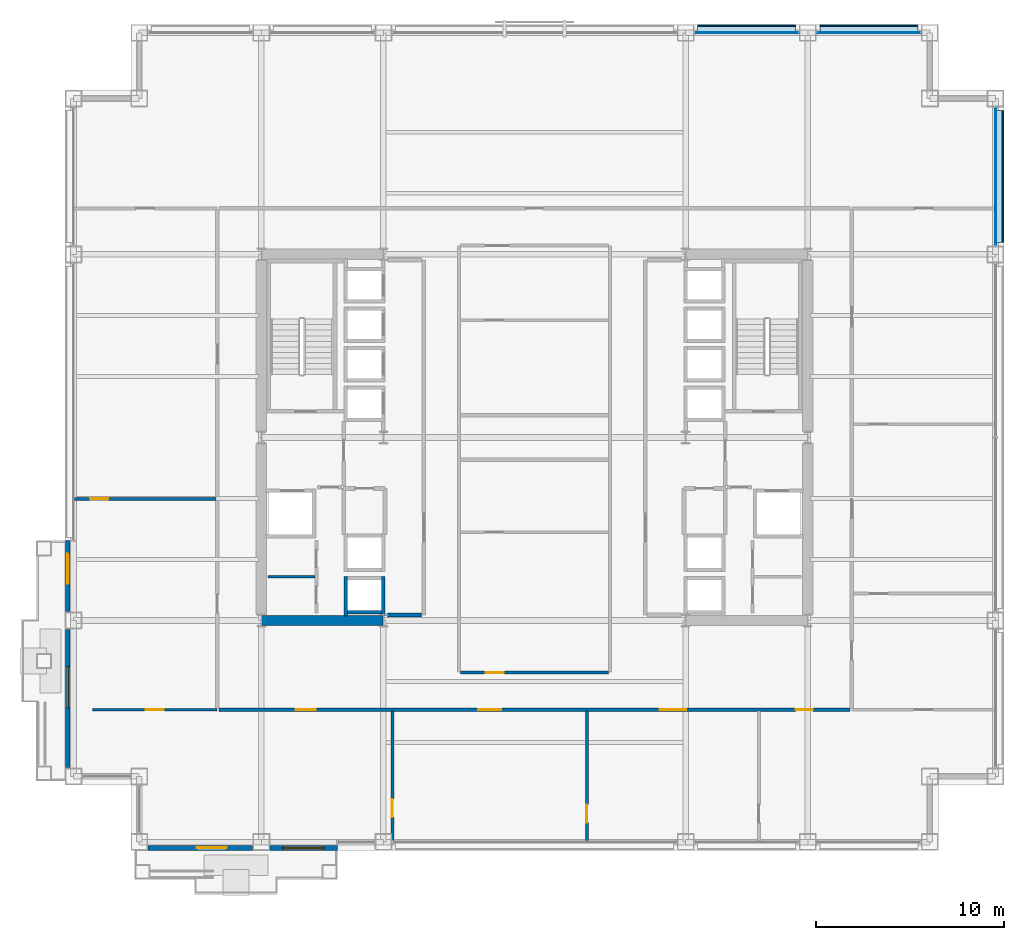
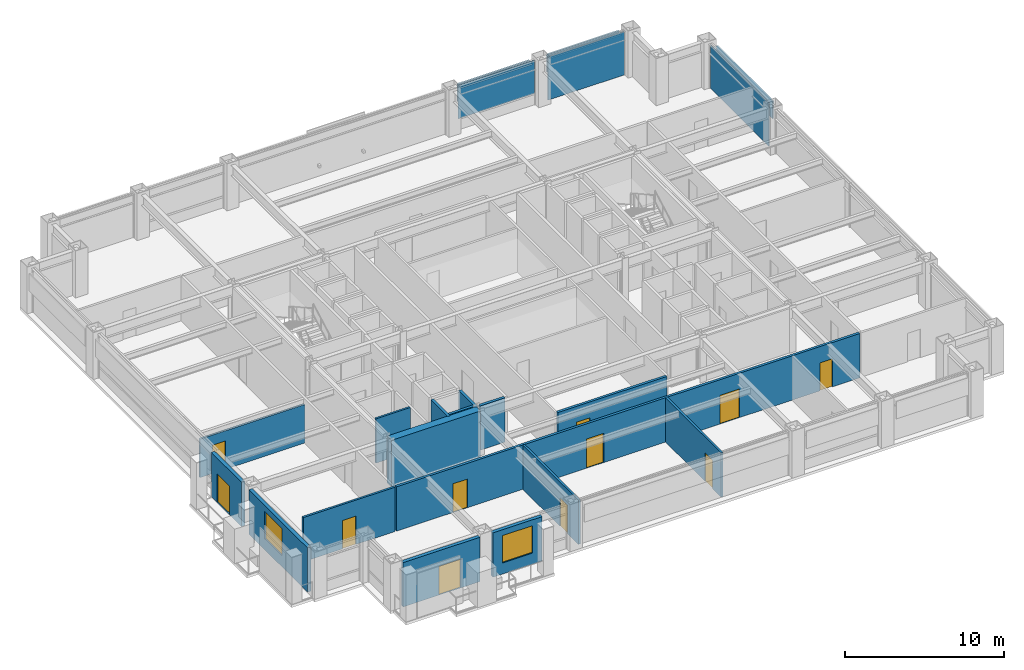
# One storey, part 22 of 29: 16 walls, 11 doors, 9 plates, 2 windows, 13 openings, 3 elements without a shape of their own.
"""IFC4 building model written with IfcOpenShell, lengths in metres."""

from ifc_helpers import new_model, si_unit, direction, frame, frame_2d, origin, origin_2d, place, context, subcontext, project, spatial, rectangle, extrude, material, layer, layer_set, type_object, element, fill, aggregate, save


model = new_model("IFC4")

# Units and contexts
model_context = context("Model", 3, precision=1e-05, world=origin(), true_north=direction((0.0, 1.0)))
body_context = subcontext(model_context, "Body", "Model", "MODEL_VIEW")
ifc_project = project(units=[si_unit("LENGTHUNIT", "METRE"), si_unit("AREAUNIT", "SQUARE_METRE"), si_unit("VOLUMEUNIT", "CUBIC_METRE"), si_unit("PLANEANGLEUNIT", "RADIAN"), si_unit("MASSUNIT", "GRAM", prefix="KILO")], contexts=[model_context])

# Site, building, storey
site_placement = place(None, origin())
site = spatial("IfcSite", under=ifc_project, at=site_placement, CompositionType="ELEMENT")
building_placement = place(site_placement, origin())
building = spatial("IfcBuilding", under=site, at=building_placement, Name="Brelmoor Portico Tower", CompositionType="ELEMENT")
storey_placement = place(building_placement, frame((0.0, 0.0, 63.60009765625)))
storey = spatial("IfcBuildingStorey", under=building, at=storey_placement, Name="L16", CompositionType="ELEMENT", Elevation=63.60009765625)

# Curtain wall, plate
ifc_material_1 = material(Name="Anodised Aluminium Alloy 6063-T6", Category="aluminium")
ifc_layer_1 = layer(ifc_material_1, 0.179931640625)
ifc_layer_set_1 = layer_set([ifc_layer_1], Name="Anodised Aluminium Alloy 6063-T6")
curtain_wall_type_1 = type_object("IfcCurtainWallType", Name="CW-TOWER-Z1", PredefinedType="NOTDEFINED", material=ifc_layer_set_1)
curtain_wall_1_placement = place(storey_placement, origin())
curtain_wall_1 = element("IfcCurtainWall", 1, at=curtain_wall_1_placement, inside=storey, type_object=curtain_wall_type_1, Name="L16 Curtain Wall CW-L16-02-4", PredefinedType="NOTDEFINED")
ifc_material_2 = material(Name="Double-Silver Low-E Insulated Glazing", Category="glass")
ifc_layer_2 = layer(ifc_material_2, 0.035888671875)
ifc_layer_set_2 = layer_set([ifc_layer_2], Name="Double-Silver Low-E Insulated Glazing")
plate_type_1 = type_object("IfcPlateType", Name="PT-CW-GLASS", PredefinedType="CURTAIN_PANEL", material=ifc_layer_set_2)
plate_1_placement = place(storey_placement, frame((11.300048828125, 21.550048828125, 0.85009765625), z_axis=(0.0, 0.0, 1.0), x_axis=(1.0, 0.0, 0.0)))
plate_1 = element("IfcPlate", 2, at=plate_1_placement, type_object=plate_type_1, Name="CW-L16-02-4 Vision Glass Panel 00", PredefinedType="CURTAIN_PANEL", context=body_context, shape_type="SweptSolid", body=[
    extrude(rectangle(XDim=5.550048828125, YDim=0.035888671875, at=origin_2d()), origin(), (0.0, 0.0, 1.0), 2.550048828125),
])
aggregate(curtain_wall_1, [plate_1])

ifc_layer_3 = layer(ifc_material_1, 0.179931640625)
ifc_layer_set_3 = layer_set([ifc_layer_3], Name="Anodised Aluminium Alloy 6063-T6")
curtain_wall_type_2 = type_object("IfcCurtainWallType", Name="CW-TOWER-Z1-XB", PredefinedType="NOTDEFINED", material=ifc_layer_set_3)
curtain_wall_2_placement = place(storey_placement, origin())
curtain_wall_2 = element("IfcCurtainWall", 3, at=curtain_wall_2_placement, inside=storey, type_object=curtain_wall_type_2, Name="L16 Curtain Wall CW-L16-02-5", PredefinedType="NOTDEFINED")
ifc_material_3 = material(Name="Pale Champagne Anodised Aluminium Panel", Category="aluminium")
ifc_layer_4 = layer(ifc_material_3, 0.050048828125)
ifc_layer_set_4 = layer_set([ifc_layer_4], Name="Pale Champagne Anodised Aluminium Panel")
plate_type_2 = type_object("IfcPlateType", Name="PT-CW-SPANDREL", PredefinedType="SHEET", material=ifc_layer_set_4)
plate_2_placement = place(storey_placement, frame((17.800048828125, 21.550048828125, -0.000244140625), z_axis=(0.0, 0.0, 1.0), x_axis=(1.0, 0.0, 0.0)))
plate_2 = element("IfcPlate", 4, at=plate_2_placement, type_object=plate_type_2, Name="CW-L16-02-5 Spandrel Panel 00", PredefinedType="SHEET", context=body_context, shape_type="SweptSolid", body=[
    extrude(rectangle(XDim=5.550048828125, YDim=0.050048828125, at=origin_2d()), origin(), (0.0, 0.0, 1.0), 3.330078125),
])
aggregate(curtain_wall_2, [plate_2])

curtain_wall_3_placement = place(storey_placement, origin())
curtain_wall_3 = element("IfcCurtainWall", 5, at=curtain_wall_3_placement, inside=storey, type_object=curtain_wall_type_2, Name="L16 Curtain Wall CW-L16-04-3", PredefinedType="NOTDEFINED")
plate_3_placement = place(storey_placement, frame((24.550048828125, 13.89990234375, -0.000244140625), z_axis=(0.0, 0.0, 1.0), x_axis=(0.0, 1.0, 0.0)))
plate_3 = element("IfcPlate", 6, at=plate_3_placement, type_object=plate_type_2, Name="CW-L16-04-3 Spandrel Panel 00", PredefinedType="SHEET", context=body_context, shape_type="SweptSolid", body=[
    extrude(rectangle(XDim=7.35009765625, YDim=0.050048828125, at=origin_2d()), origin(), (0.0, 0.0, 1.0), 3.330078125),
])
aggregate(curtain_wall_3, [plate_3])

# Plates
ifc_material_4 = material(Name="Powder-Coated Aluminium Shuttered Jalousie Louvre", Category="aluminium")
ifc_layer_5 = layer(ifc_material_4, 0.06005859375)
ifc_layer_set_5 = layer_set([ifc_layer_5], Name="Powder-Coated Aluminium Shuttered Jalousie Louvre")
plate_type_3 = type_object("IfcPlateType", Name="PT-JALOUSIE-SHUTTER", PredefinedType="SHEET", material=ifc_layer_set_5)
for number, where, z_axis, x_axis, name in (
    (7, (11.300048828125, 21.929931640625, 1.8740234375), (0.0, 0.0, 1.0), (1.0, 0.0, 0.0), "CW-L16-02-4 Perforated Jalousie Solar Screen"),
    (8, (17.800048828125, 21.929931640625, 1.8740234375), (0.0, 0.0, 1.0), (1.0, 0.0, 0.0), "CW-L16-02-5 Perforated Jalousie Solar Screen"),
):
    element("IfcPlate", number, at=place(storey_placement, frame(where, z_axis=z_axis, x_axis=x_axis)), inside=storey, type_object=plate_type_3, Name=name, PredefinedType="SHEET", context=body_context, shape_type="SweptSolid", body=[
        extrude(rectangle(XDim=5.219970703125, YDim=0.06494140625, at=origin_2d()), origin(), (0.0, 0.0, 1.0), 1.325927734375),
    ])
plate_4_placement = place(storey_placement, frame((24.929931640625, 13.89990234375, 1.8740234375), z_axis=(0.0, 0.0, 1.0), x_axis=(0.0, 1.0, 0.0)))
element("IfcPlate", 9, at=plate_4_placement, inside=storey, type_object=plate_type_3, Name="CW-L16-04-3 Perforated Jalousie Solar Screen", PredefinedType="SHEET", context=body_context, shape_type="SweptSolid", body=[
    extrude(rectangle(XDim=7.02001953125, YDim=0.06494140625, at=origin_2d()), origin(), (0.0, 0.0, 1.0), 1.325927734375),
])
ifc_material_5 = material(Name="Pale Champagne Perforated Aluminium Solar Screen", Category="aluminium")
ifc_layer_6 = layer(ifc_material_5, 0.054931640625)
ifc_layer_set_6 = layer_set([ifc_layer_6], Name="Pale Champagne Perforated Aluminium Solar Screen")
plate_type_4 = type_object("IfcPlateType", Name="PT-SOLAR-LOUVRE", PredefinedType="SHEET", material=ifc_layer_set_6)
for number, where, z_axis, x_axis, name in (
    (10, (11.300048828125, 21.760009765625, 3.08984375), (0.0, 0.0, 1.0), (1.0, 0.0, 0.0), "CW-L16-02-4 Caribbean Brise-Soleil Solar Screen"),
    (11, (17.800048828125, 21.760009765625, 3.08984375), (0.0, 0.0, 1.0), (1.0, 0.0, 0.0), "CW-L16-02-5 Caribbean Brise-Soleil Solar Screen"),
):
    element("IfcPlate", number, at=place(storey_placement, frame(where, z_axis=z_axis, x_axis=x_axis)), inside=storey, type_object=plate_type_4, Name=name, PredefinedType="SHEET", context=body_context, shape_type="SweptSolid", body=[
        extrude(rectangle(XDim=5.219970703125, YDim=0.4599609375, at=origin_2d()), origin(), (0.0, 0.0, 1.0), 0.139892578125),
    ])
plate_5_placement = place(storey_placement, frame((24.760009765625, 13.89990234375, 3.08984375), z_axis=(0.0, 0.0, 1.0), x_axis=(0.0, 1.0, 0.0)))
element("IfcPlate", 12, at=plate_5_placement, inside=storey, type_object=plate_type_4, Name="CW-L16-04-3 Caribbean Brise-Soleil Solar Screen", PredefinedType="SHEET", context=body_context, shape_type="SweptSolid", body=[
    extrude(rectangle(XDim=7.02001953125, YDim=0.4599609375, at=origin_2d()), origin(), (0.0, 0.0, 1.0), 0.139892578125),
])

# Wall
ifc_material_6 = material(Name="Concrete C60", Category="concrete")
ifc_layer_7 = layer(ifc_material_6, 0.550048828125)
ifc_layer_set_7 = layer_set([ifc_layer_7], Name="Concrete C60")
wall_type_1 = type_object("IfcWallType", Name="WL-CORE-550", PredefinedType="SHEAR", material=ifc_layer_set_7)
wall_1_placement = place(storey_placement, frame((-14.530029296875, -9.75, -0.2001953125), z_axis=(0.0, 0.0, 1.0), x_axis=(1.0, 0.0, 0.0)))
element("IfcWall", 13, at=wall_1_placement, inside=storey, type_object=wall_type_1, Name="L16 WC South Shear Wall", PredefinedType="SHEAR", context=body_context, shape_type="SweptSolid", body=[
    extrude(rectangle(XDim=6.4599609375, YDim=0.550048828125, at=frame_2d((3.22998046875, 0.0))), origin(), (0.0, 0.0, 1.0), 3.60009765625),
])

# Wall, opening, door
ifc_material_7 = material(Name="Precast Concrete C40 Insulated Facade Wall", Category="concrete")
ifc_layer_8 = layer(ifc_material_7, 0.25)
ifc_layer_set_8 = layer_set([ifc_layer_8], Name="Precast Concrete C40 Insulated Facade Wall")
wall_type_2 = type_object("IfcWallType", Name="WL-EXT-250", PredefinedType="STANDARD", material=ifc_layer_set_8)
wall_2_placement = place(storey_placement, frame((-20.580078125, -21.860107421875, 0.0), z_axis=(0.0, 0.0, 1.0), x_axis=(1.0, 0.0, 0.0)))
wall_2 = element("IfcWall", 14, at=wall_2_placement, inside=storey, type_object=wall_type_2, Name="L16 Loggia Threshold Wall S-1", PredefinedType="STANDARD", context=body_context, shape_type="SweptSolid", body=[
    extrude(rectangle(XDim=5.56005859375, YDim=0.25, at=frame_2d((2.780029296875, 0.0))), origin(), (0.0, 0.0, 1.0), 3.39990234375),
])
opening_1_placement = place(wall_2_placement, frame((2.580078125, 0.0, 0.0)))
opening_1 = element("IfcOpeningElement", 15, at=opening_1_placement, cuts=wall_2, Name="Opening D-TB1", PredefinedType="OPENING", context=body_context, shape_type="SweptSolid", body=[
    extrude(rectangle(XDim=1.60009765625, YDim=2.199951171875, at=frame_2d((0.800048828125, 1.10009765625))), frame((0.0, 0.135009765625, 0.0), z_axis=(0.0, -1.0, 0.0), x_axis=(1.0, 0.0, 0.0)), (0.0, 0.0, 1.0), 0.27001953125),
])
ifc_material_8 = material(Name="Double-Leaf Thermally Broken Terrace Door", Category="aluminium")
door_type_1 = type_object("IfcDoorType", Name="DR-BALCONY-1600", OperationType="NOTDEFINED", PredefinedType="DOOR", material=ifc_material_8)
door_1_placement = place(opening_1_placement, origin())
door_1 = element("IfcDoor", 16, at=door_1_placement, inside=storey, type_object=door_type_1, Name="D-0737 L16 Tree Balcony Double Door S", OperationType="DOUBLE_DOOR_SINGLE_SWING", OverallHeight=2.199951171875, OverallWidth=1.60009765625, PredefinedType="DOOR", context=body_context, shape_type="SweptSolid", body=[
    extrude(rectangle(XDim=1.60009765625, YDim=2.199951171875, at=frame_2d((0.800048828125, 1.10009765625))), frame((0.0, 0.02490234375, 0.0), z_axis=(0.0, -1.0, 0.0), x_axis=(1.0, 0.0, 0.0)), (0.0, 0.0, 1.0), 0.050048828125),
])
fill(opening_1, door_1)

# Wall, opening, window
wall_3_placement = place(storey_placement, frame((-14.080078125, -21.860107421875, 0.0), z_axis=(0.0, 0.0, 1.0), x_axis=(1.0, 0.0, 0.0)))
wall_3 = element("IfcWall", 17, at=wall_3_placement, inside=storey, type_object=wall_type_2, Name="L16 Loggia Threshold Wall S-2", PredefinedType="STANDARD", context=body_context, shape_type="SweptSolid", body=[
    extrude(rectangle(XDim=3.580078125, YDim=0.25, at=frame_2d((1.7900390625, 0.0))), origin(), (0.0, 0.0, 1.0), 3.39990234375),
])
opening_2_placement = place(wall_3_placement, frame((0.679931640625, 0.0, 0.85009765625)))
opening_2 = element("IfcOpeningElement", 18, at=opening_2_placement, cuts=wall_3, Name="Opening W-03B", PredefinedType="OPENING", context=body_context, shape_type="SweptSolid", body=[
    extrude(rectangle(XDim=2.199951171875, YDim=2.10009765625, at=frame_2d((1.10009765625, 1.050048828125))), frame((0.0, 0.135009765625, 0.0), z_axis=(0.0, -1.0, 0.0), x_axis=(1.0, 0.0, 0.0)), (0.0, 0.0, 1.0), 0.27001953125),
])
ifc_material_9 = material(Name="Thermally Broken Aluminium Low-E Window", Category="aluminium")
window_type = type_object("IfcWindowType", Name="WN-LOGGIA-2200x2100", PartitioningType="SINGLE_PANEL", PredefinedType="WINDOW", material=ifc_material_9)
window_1_placement = place(opening_2_placement, origin())
window_1 = element("IfcWindow", 19, at=window_1_placement, inside=storey, type_object=window_type, Name="L16 Loggia Window S", OverallHeight=2.10009765625, OverallWidth=2.199951171875, PartitioningType="SINGLE_PANEL", PredefinedType="WINDOW", context=body_context, shape_type="SweptSolid", body=[
    extrude(rectangle(XDim=2.199951171875, YDim=2.10009765625, at=frame_2d((1.10009765625, 1.050048828125))), frame((0.0, 0.030029296875, 0.0), z_axis=(0.0, -1.0, 0.0), x_axis=(1.0, 0.0, 0.0)), (0.0, 0.0, 1.0), 0.06005859375),
])
fill(opening_2, window_1)

wall_4_placement = place(storey_placement, frame((-24.860107421875, -17.580078125, 0.0), z_axis=(0.0, 0.0, 1.0), x_axis=(0.0, 1.0, 0.0)))
wall_4 = element("IfcWall", 20, at=wall_4_placement, inside=storey, type_object=wall_type_2, Name="L16 Loggia Threshold Wall W-1", PredefinedType="STANDARD", context=body_context, shape_type="SweptSolid", body=[
    extrude(rectangle(XDim=7.360107421875, YDim=0.25, at=frame_2d((3.68017578125, 0.0))), origin(), (0.0, 0.0, 1.0), 3.39990234375),
])
opening_3_placement = place(wall_4_placement, frame((3.179931640625, 0.0, 0.85009765625)))
opening_3 = element("IfcOpeningElement", 21, at=opening_3_placement, cuts=wall_4, Name="Opening W-03B", PredefinedType="OPENING", context=body_context, shape_type="SweptSolid", body=[
    extrude(rectangle(XDim=2.199951171875, YDim=2.10009765625, at=frame_2d((1.10009765625, 1.050048828125))), frame((0.0, 0.135009765625, 0.0), z_axis=(0.0, -1.0, 0.0), x_axis=(1.0, 0.0, 0.0)), (0.0, 0.0, 1.0), 0.27001953125),
])
window_2_placement = place(opening_3_placement, origin())
window_2 = element("IfcWindow", 22, at=window_2_placement, inside=storey, type_object=window_type, Name="L16 Loggia Window W", OverallHeight=2.10009765625, OverallWidth=2.199951171875, PartitioningType="SINGLE_PANEL", PredefinedType="WINDOW", context=body_context, shape_type="SweptSolid", body=[
    extrude(rectangle(XDim=2.199951171875, YDim=2.10009765625, at=frame_2d((1.10009765625, 1.050048828125))), frame((0.0, 0.030029296875, 0.0), z_axis=(0.0, -1.0, 0.0), x_axis=(1.0, 0.0, 0.0)), (0.0, 0.0, 1.0), 0.06005859375),
])
fill(opening_3, window_2)

# Wall, opening, door
wall_5_placement = place(storey_placement, frame((-24.860107421875, -9.280029296875, 0.0), z_axis=(0.0, 0.0, 1.0), x_axis=(0.0, 1.0, 0.0)))
wall_5 = element("IfcWall", 23, at=wall_5_placement, inside=storey, type_object=wall_type_2, Name="L16 Loggia Threshold Wall W-2", PredefinedType="STANDARD", context=body_context, shape_type="SweptSolid", body=[
    extrude(rectangle(XDim=3.780029296875, YDim=0.25, at=frame_2d((1.89013671875, 0.0))), origin(), (0.0, 0.0, 1.0), 3.39990234375),
])
opening_4_placement = place(wall_5_placement, frame((1.47998046875, 0.0, 0.0)))
opening_4 = element("IfcOpeningElement", 24, at=opening_4_placement, cuts=wall_5, Name="Opening D-TB1", PredefinedType="OPENING", context=body_context, shape_type="SweptSolid", body=[
    extrude(rectangle(XDim=1.60009765625, YDim=2.199951171875, at=frame_2d((0.800048828125, 1.10009765625))), frame((0.0, 0.135009765625, 0.0), z_axis=(0.0, -1.0, 0.0), x_axis=(1.0, 0.0, 0.0)), (0.0, 0.0, 1.0), 0.27001953125),
])
door_2_placement = place(opening_4_placement, origin())
door_2 = element("IfcDoor", 25, at=door_2_placement, inside=storey, type_object=door_type_1, Name="D-0738 L16 Tree Balcony Double Door W", OperationType="DOUBLE_DOOR_SINGLE_SWING", OverallHeight=2.199951171875, OverallWidth=1.60009765625, PredefinedType="DOOR", context=body_context, shape_type="SweptSolid", body=[
    extrude(rectangle(XDim=1.60009765625, YDim=2.199951171875, at=frame_2d((0.800048828125, 1.10009765625))), frame((0.0, 0.02490234375, 0.0), z_axis=(0.0, -1.0, 0.0), x_axis=(1.0, 0.0, 0.0)), (0.0, 0.0, 1.0), 0.050048828125),
])
fill(opening_4, door_2)

# Wall
ifc_material_10 = material(Name="Insulated Stud Suite Partition", Category="gypsum")
ifc_layer_9 = layer(ifc_material_10, 0.139892578125)
ifc_layer_set_9 = layer_set([ifc_layer_9], Name="Insulated Stud Suite Partition")
wall_type_3 = type_object("IfcWallType", Name="WL-PART-140", PredefinedType="PARTITIONING", material=ifc_layer_set_9)
wall_6_placement = place(storey_placement, frame((-11.699951171875, -7.425048828125, 0.0), z_axis=(0.0, 0.0, 1.0), x_axis=(-1.0, 0.0, 0.0)))
element("IfcWall", 26, at=wall_6_placement, inside=storey, type_object=wall_type_3, Name="L16 W Core WC Divider 1", PredefinedType="PARTITIONING", context=body_context, shape_type="SweptSolid", body=[
    extrude(rectangle(XDim=2.5, YDim=0.139892578125, at=frame_2d((1.25, 0.0))), origin(), (0.0, 0.0, 1.0), 3.39990234375),
])

# Wall, opening, door
ifc_material_11 = material(Name="Wet-Area Moisture-Resistant Partition", Category="gypsum")
ifc_layer_10 = layer(ifc_material_11, 0.14990234375)
ifc_layer_set_10 = layer_set([ifc_layer_10], Name="Wet-Area Moisture-Resistant Partition")
wall_type_4 = type_object("IfcWallType", Name="WL-PART-150", PredefinedType="PARTITIONING", material=ifc_layer_set_10)
wall_7_placement = place(storey_placement, frame((-7.56591796875, -21.56005859375, 0.0), z_axis=(0.0, 0.0, 1.0), x_axis=(0.0, 1.0, 0.0)))
wall_7 = element("IfcWall", 27, at=wall_7_placement, inside=storey, type_object=wall_type_4, Name="L16 South Suite Partition 1", PredefinedType="PARTITIONING", context=body_context, shape_type="SweptSolid", body=[
    extrude(rectangle(XDim=7.0, YDim=0.14990234375, at=frame_2d((3.5, 0.0))), origin(), (0.0, 0.0, 1.0), 3.39990234375),
])
opening_5_placement = place(wall_7_placement, frame((1.340087890625, 0.0, 0.0)))
opening_5 = element("IfcOpeningElement", 28, at=opening_5_placement, cuts=wall_7, Name="Opening D-IN2", PredefinedType="OPENING", context=body_context, shape_type="SweptSolid", body=[
    extrude(rectangle(XDim=0.9599609375, YDim=2.179931640625, at=frame_2d((0.47998046875, 1.08984375))), frame((0.0, 0.0849609375, 0.0), z_axis=(0.0, -1.0, 0.0), x_axis=(1.0, 0.0, 0.0)), (0.0, 0.0, 1.0), 0.169921875),
])
ifc_material_12 = material(Name="Lacquered Timber Suite Door", Category="wood")
door_type_2 = type_object("IfcDoorType", Name="DR-INT-950", OperationType="NOTDEFINED", PredefinedType="DOOR", material=ifc_material_12)
door_3_placement = place(opening_5_placement, origin())
door_3 = element("IfcDoor", 29, at=door_3_placement, inside=storey, type_object=door_type_2, Name="D-0730 L16 South Suite Connecting Door 1", OperationType="SINGLE_SWING_RIGHT", OverallHeight=2.179931640625, OverallWidth=0.9599609375, PredefinedType="DOOR", context=body_context, shape_type="SweptSolid", body=[
    extrude(rectangle(XDim=0.9599609375, YDim=2.179931640625, at=frame_2d((0.47998046875, 1.08984375))), frame((0.0, 0.02490234375, 0.0), z_axis=(0.0, -1.0, 0.0), x_axis=(1.0, 0.0, 0.0)), (0.0, 0.0, 1.0), 0.050048828125),
])
fill(opening_5, door_3)

wall_8_placement = place(storey_placement, frame((2.787353515625, -21.56005859375, 0.0), z_axis=(0.0, 0.0, 1.0), x_axis=(0.0, 1.0, 0.0)))
wall_8 = element("IfcWall", 30, at=wall_8_placement, inside=storey, type_object=wall_type_4, Name="L16 South Suite Partition 2", PredefinedType="PARTITIONING", context=body_context, shape_type="SweptSolid", body=[
    extrude(rectangle(XDim=7.0, YDim=0.14990234375, at=frame_2d((3.5, 0.0))), origin(), (0.0, 0.0, 1.0), 3.39990234375),
])
opening_6_placement = place(wall_8_placement, frame((1.050048828125, 0.0, 0.0)))
opening_6 = element("IfcOpeningElement", 31, at=opening_6_placement, cuts=wall_8, Name="Opening D-IN2", PredefinedType="OPENING", context=body_context, shape_type="SweptSolid", body=[
    extrude(rectangle(XDim=0.9599609375, YDim=2.179931640625, at=frame_2d((0.47998046875, 1.08984375))), frame((0.0, 0.0849609375, 0.0), z_axis=(0.0, -1.0, 0.0), x_axis=(1.0, 0.0, 0.0)), (0.0, 0.0, 1.0), 0.169921875),
])
door_4_placement = place(opening_6_placement, origin())
door_4 = element("IfcDoor", 32, at=door_4_placement, inside=storey, type_object=door_type_2, Name="D-0731 L16 South Suite Connecting Door 2", OperationType="SINGLE_SWING_LEFT", OverallHeight=2.179931640625, OverallWidth=0.9599609375, PredefinedType="DOOR", context=body_context, shape_type="SweptSolid", body=[
    extrude(rectangle(XDim=0.9599609375, YDim=2.179931640625, at=frame_2d((0.47998046875, 1.08984375))), frame((0.0, 0.02490234375, 0.0), z_axis=(0.0, -1.0, 0.0), x_axis=(1.0, 0.0, 0.0)), (0.0, 0.0, 1.0), 0.050048828125),
])
fill(opening_6, door_4)

wall_9_placement = place(storey_placement, frame((-23.550048828125, -14.5, 0.0), z_axis=(0.0, 0.0, 1.0), x_axis=(1.0, 0.0, 0.0)))
wall_9 = element("IfcWall", 33, at=wall_9_placement, inside=storey, type_object=wall_type_4, Name="L16 South Outer Closure WL", PredefinedType="PARTITIONING", context=body_context, shape_type="SweptSolid", body=[
    extrude(rectangle(XDim=6.650146484375, YDim=0.14990234375, at=frame_2d((3.3251953125, 0.0))), origin(), (0.0, 0.0, 1.0), 3.39990234375),
])
opening_7_placement = place(wall_9_placement, frame((2.844970703125, 0.0, 0.0)))
opening_7 = element("IfcOpeningElement", 34, at=opening_7_placement, cuts=wall_9, Name="Opening D-IN2", PredefinedType="OPENING", context=body_context, shape_type="SweptSolid", body=[
    extrude(rectangle(XDim=0.9599609375, YDim=2.179931640625, at=frame_2d((0.47998046875, 1.08984375))), frame((0.0, 0.0849609375, 0.0), z_axis=(0.0, -1.0, 0.0), x_axis=(1.0, 0.0, 0.0)), (0.0, 0.0, 1.0), 0.169921875),
])
door_5_placement = place(opening_7_placement, origin())
door_5 = element("IfcDoor", 35, at=door_5_placement, inside=storey, type_object=door_type_2, Name="D-0736 L16 WL South Corner Suite Door", OperationType="SINGLE_SWING_RIGHT", OverallHeight=2.179931640625, OverallWidth=0.9599609375, PredefinedType="DOOR", context=body_context, shape_type="SweptSolid", body=[
    extrude(rectangle(XDim=0.9599609375, YDim=2.179931640625, at=frame_2d((0.47998046875, 1.08984375))), frame((0.0, 0.02490234375, 0.0), z_axis=(0.0, -1.0, 0.0), x_axis=(1.0, 0.0, 0.0)), (0.0, 0.0, 1.0), 0.050048828125),
])
fill(opening_7, door_5)

wall_10_placement = place(storey_placement, frame((-24.56005859375, -3.273193359375, 0.0), z_axis=(0.0, 0.0, 1.0), x_axis=(1.0, 0.0, 0.0)))
wall_10 = element("IfcWall", 36, at=wall_10_placement, inside=storey, type_object=wall_type_4, Name="L16 W Wing Partition 1", PredefinedType="PARTITIONING", context=body_context, shape_type="SweptSolid", body=[
    extrude(rectangle(XDim=7.60009765625, YDim=0.14990234375, at=frame_2d((3.800048828125, 0.0))), origin(), (0.0, 0.0, 1.0), 2.949951171875),
])
opening_8_placement = place(wall_10_placement, frame((0.89990234375, 0.0, 0.0)))
opening_8 = element("IfcOpeningElement", 37, at=opening_8_placement, cuts=wall_10, Name="Opening D-IN2", PredefinedType="OPENING", context=body_context, shape_type="SweptSolid", body=[
    extrude(rectangle(XDim=0.9599609375, YDim=2.179931640625, at=frame_2d((0.47998046875, 1.08984375))), frame((0.0, 0.0849609375, 0.0), z_axis=(0.0, -1.0, 0.0), x_axis=(1.0, 0.0, 0.0)), (0.0, 0.0, 1.0), 0.169921875),
])
door_6_placement = place(opening_8_placement, origin())
door_6 = element("IfcDoor", 38, at=door_6_placement, inside=storey, type_object=door_type_2, Name="D-0746 L16 W Wing Suite Connecting Door 1", OperationType="SINGLE_SWING_RIGHT", OverallHeight=2.179931640625, OverallWidth=0.9599609375, PredefinedType="DOOR", context=body_context, shape_type="SweptSolid", body=[
    extrude(rectangle(XDim=0.9599609375, YDim=2.179931640625, at=frame_2d((0.47998046875, 1.08984375))), frame((0.0, 0.02490234375, 0.0), z_axis=(0.0, -1.0, 0.0), x_axis=(1.0, 0.0, 0.0)), (0.0, 0.0, 1.0), 0.050048828125),
])
fill(opening_8, door_6)

ifc_material_13 = material(Name="Acoustic Corridor Fire Partition", Category="gypsum")
ifc_layer_11 = layer(ifc_material_13, 0.179931640625)
ifc_layer_set_11 = layer_set([ifc_layer_11], Name="Acoustic Corridor Fire Partition")
wall_type_5 = type_object("IfcWallType", Name="WL-PART-180", PredefinedType="PARTITIONING", material=ifc_layer_set_11)
wall_11_placement = place(storey_placement, frame((-3.949951171875, -12.52001953125, 0.0), z_axis=(0.0, 0.0, 1.0), x_axis=(1.0, 0.0, 0.0)))
wall_11 = element("IfcWall", 39, at=wall_11_placement, inside=storey, type_object=wall_type_5, Name="L16 Central Pantry Corridor Wall", PredefinedType="PARTITIONING", context=body_context, shape_type="SweptSolid", body=[
    extrude(rectangle(XDim=7.89990234375, YDim=0.179931640625, at=frame_2d((3.949951171875, 0.0))), origin(), (0.0, 0.0, 1.0), 3.39990234375),
])
opening_9_placement = place(wall_11_placement, frame((1.35009765625, 0.0, 0.0)))
opening_9 = element("IfcOpeningElement", 40, at=opening_9_placement, cuts=wall_11, Name="Opening D-IN2", PredefinedType="OPENING", context=body_context, shape_type="SweptSolid", body=[
    extrude(rectangle(XDim=0.9599609375, YDim=2.179931640625, at=frame_2d((0.47998046875, 1.08984375))), frame((0.0, 0.099853515625, 0.0), z_axis=(0.0, -1.0, 0.0), x_axis=(1.0, 0.0, 0.0)), (0.0, 0.0, 1.0), 0.199951171875),
])
door_7_placement = place(opening_9_placement, origin())
door_7 = element("IfcDoor", 41, at=door_7_placement, inside=storey, type_object=door_type_2, Name="D-0709 L16 Staff Pantry Door", OperationType="SINGLE_SWING_RIGHT", OverallHeight=2.179931640625, OverallWidth=0.9599609375, PredefinedType="DOOR", context=body_context, shape_type="SweptSolid", body=[
    extrude(rectangle(XDim=0.9599609375, YDim=2.179931640625, at=frame_2d((0.47998046875, 1.08984375))), frame((0.0, 0.02490234375, 0.0), z_axis=(0.0, -1.0, 0.0), x_axis=(1.0, 0.0, 0.0)), (0.0, 0.0, 1.0), 0.050048828125),
])
fill(opening_9, door_7)

# Wall, openings, doors
wall_12_placement = place(storey_placement, frame((-16.800048828125, -14.5, 0.0), z_axis=(0.0, 0.0, 1.0), x_axis=(1.0, 0.0, 0.0)))
wall_12 = element("IfcWall", 42, at=wall_12_placement, inside=storey, type_object=wall_type_5, Name="L16 South Corridor Partition", PredefinedType="PARTITIONING", context=body_context, shape_type="SweptSolid", body=[
    extrude(rectangle(XDim=33.60009765625, YDim=0.179931640625, at=frame_2d((16.800048828125, 0.0))), origin(), (0.0, 0.0, 1.0), 3.39990234375),
])
opening_10_placement = place(wall_12_placement, frame((4.087158203125, 0.0, 0.0)))
opening_10 = element("IfcOpeningElement", 43, at=opening_10_placement, cuts=wall_12, Name="Opening D-OF2", PredefinedType="OPENING", context=body_context, shape_type="SweptSolid", body=[
    extrude(rectangle(XDim=1.06005859375, YDim=2.199951171875, at=frame_2d((0.530029296875, 1.10009765625))), frame((0.0, 0.099853515625, 0.0), z_axis=(0.0, -1.0, 0.0), x_axis=(1.0, 0.0, 0.0)), (0.0, 0.0, 1.0), 0.199951171875),
])
opening_11_placement = place(wall_12_placement, frame((13.790771484375, 0.0, 0.0)))
opening_11 = element("IfcOpeningElement", 44, at=opening_11_placement, cuts=wall_12, Name="Opening D-SU1", PredefinedType="OPENING", context=body_context, shape_type="SweptSolid", body=[
    extrude(rectangle(XDim=1.239990234375, YDim=2.239990234375, at=frame_2d((0.6201171875, 1.1201171875))), frame((0.0, 0.099853515625, 0.0), z_axis=(0.0, -1.0, 0.0), x_axis=(1.0, 0.0, 0.0)), (0.0, 0.0, 1.0), 0.199951171875),
])
opening_12_placement = place(wall_12_placement, frame((23.466796875, 0.0, 0.0)))
opening_12 = element("IfcOpeningElement", 45, at=opening_12_placement, cuts=wall_12, Name="Opening D-SU2", PredefinedType="OPENING", context=body_context, shape_type="SweptSolid", body=[
    extrude(rectangle(XDim=1.39990234375, YDim=2.199951171875, at=frame_2d((0.699951171875, 1.10009765625))), frame((0.0, 0.099853515625, 0.0), z_axis=(0.0, -1.0, 0.0), x_axis=(1.0, 0.0, 0.0)), (0.0, 0.0, 1.0), 0.199951171875),
])
opening_13_placement = place(wall_12_placement, frame((30.722900390625, 0.0, 0.0)))
opening_13 = element("IfcOpeningElement", 46, at=opening_13_placement, cuts=wall_12, Name="Opening D-IN1", PredefinedType="OPENING", context=body_context, shape_type="SweptSolid", body=[
    extrude(rectangle(XDim=0.89990234375, YDim=2.14990234375, at=frame_2d((0.449951171875, 1.074951171875))), frame((0.0, 0.099853515625, 0.0), z_axis=(0.0, -1.0, 0.0), x_axis=(1.0, 0.0, 0.0)), (0.0, 0.0, 1.0), 0.199951171875),
])
door_type_3 = type_object("IfcDoorType", Name="DR-INT-900", OperationType="NOTDEFINED", PredefinedType="DOOR", material=ifc_material_12)
door_8_placement = place(opening_13_placement, origin())
door_8 = element("IfcDoor", 47, at=door_8_placement, inside=storey, type_object=door_type_3, Name="D-0729 L16 South Open-Plan Office 4 Door", OperationType="SINGLE_SWING_LEFT", OverallHeight=2.14990234375, OverallWidth=0.89990234375, PredefinedType="DOOR", context=body_context, shape_type="SweptSolid", body=[
    extrude(rectangle(XDim=0.89990234375, YDim=2.14990234375, at=frame_2d((0.449951171875, 1.074951171875))), frame((0.0, 0.02490234375, 0.0), z_axis=(0.0, -1.0, 0.0), x_axis=(1.0, 0.0, 0.0)), (0.0, 0.0, 1.0), 0.050048828125),
])
fill(opening_13, door_8)
ifc_material_14 = material(Name="Hardwood Acoustic Veneer Door", Category="wood")
door_type_4 = type_object("IfcDoorType", Name="DR-OFFICE-1050", OperationType="NOTDEFINED", PredefinedType="DOOR", material=ifc_material_14)
door_9_placement = place(opening_10_placement, origin())
door_9 = element("IfcDoor", 48, at=door_9_placement, inside=storey, type_object=door_type_4, Name="D-0726 L16 South Design Workshop 1 Door", OperationType="SINGLE_SWING_LEFT", OverallHeight=2.199951171875, OverallWidth=1.06005859375, PredefinedType="DOOR", context=body_context, shape_type="SweptSolid", body=[
    extrude(rectangle(XDim=1.06005859375, YDim=2.199951171875, at=frame_2d((0.530029296875, 1.10009765625))), frame((0.0, 0.02490234375, 0.0), z_axis=(0.0, -1.0, 0.0), x_axis=(1.0, 0.0, 0.0)), (0.0, 0.0, 1.0), 0.050048828125),
])
fill(opening_10, door_9)
ifc_material_15 = material(Name="Glazed Timber Executive Suite Door", Category="wood")
door_type_5 = type_object("IfcDoorType", Name="DR-SUITE-1200", OperationType="NOTDEFINED", PredefinedType="DOOR", material=ifc_material_15)
door_10_placement = place(opening_11_placement, origin())
door_10 = element("IfcDoor", 49, at=door_10_placement, inside=storey, type_object=door_type_5, Name="D-0727 L16 South First-Aid Consultation Room 2 Door", OperationType="SINGLE_SWING_RIGHT", OverallHeight=2.239990234375, OverallWidth=1.239990234375, PredefinedType="DOOR", context=body_context, shape_type="SweptSolid", body=[
    extrude(rectangle(XDim=1.239990234375, YDim=2.239990234375, at=frame_2d((0.6201171875, 1.1201171875))), frame((0.0, 0.02490234375, 0.0), z_axis=(0.0, -1.0, 0.0), x_axis=(1.0, 0.0, 0.0)), (0.0, 0.0, 1.0), 0.050048828125),
])
fill(opening_11, door_10)
ifc_material_16 = material(Name="Double-Leaf Acoustic Suite Door", Category="timber")
door_type_6 = type_object("IfcDoorType", Name="DR-SUITE-1400", OperationType="NOTDEFINED", PredefinedType="DOOR", material=ifc_material_16)
door_11_placement = place(opening_12_placement, origin())
door_11 = element("IfcDoor", 50, at=door_11_placement, inside=storey, type_object=door_type_6, Name="D-0728 L16 South Technical Archive Store 3 Door", OperationType="DOUBLE_DOOR_SINGLE_SWING", OverallHeight=2.199951171875, OverallWidth=1.39990234375, PredefinedType="DOOR", context=body_context, shape_type="SweptSolid", body=[
    extrude(rectangle(XDim=1.39990234375, YDim=2.199951171875, at=frame_2d((0.699951171875, 1.10009765625))), frame((0.0, 0.02490234375, 0.0), z_axis=(0.0, -1.0, 0.0), x_axis=(1.0, 0.0, 0.0)), (0.0, 0.0, 1.0), 0.050048828125),
])
fill(opening_12, door_11)

# Walls
ifc_material_17 = material(Name="Double-Stud Gypsum Fire Partition", Category="gypsum")
ifc_layer_12 = layer(ifc_material_17, 0.199951171875)
ifc_layer_set_12 = layer_set([ifc_layer_12], Name="Double-Stud Gypsum Fire Partition")
wall_type_6 = type_object("IfcWallType", Name="WL-PART-200", PredefinedType="PARTITIONING", material=ifc_layer_set_12)
wall_13_placement = place(storey_placement, frame((-6.02001953125, -9.449951171875, 0.0), z_axis=(0.0, 0.0, 1.0), x_axis=(-1.0, 0.0, 0.0)))
element("IfcWall", 51, at=wall_13_placement, inside=storey, type_object=wall_type_6, Name="L16 W Lift Lobby South End Wall", PredefinedType="PARTITIONING", context=body_context, shape_type="SweptSolid", body=[
    extrude(rectangle(XDim=1.800048828125, YDim=0.199951171875, at=frame_2d((0.89990234375, 0.0))), origin(), (0.0, 0.0, 1.0), 3.39990234375),
])
ifc_material_18 = material(Name="Precast Concrete C40", Category="concrete")
ifc_layer_13 = layer(ifc_material_18, 0.18994140625)
ifc_layer_set_13 = layer_set([ifc_layer_13], Name="Precast Concrete C40")
wall_type_7 = type_object("IfcWallType", Name="WL-SHAFT-180", PredefinedType="SOLIDWALL", material=ifc_layer_set_13)
for number, where, z_axis, x_axis, name in (
    (52, (-8.044921875, -9.52001953125, -0.2001953125), (0.0, 0.0, 1.0), (0.0, 1.0, 0.0), "L16 Lift PH1 Hoistway Front Wall"),
    (53, (-10.054931640625, -9.52001953125, -0.2001953125), (0.0, 0.0, 1.0), (0.0, 1.0, 0.0), "L16 Lift PH1 Hoistway Back Wall"),
):
    element("IfcWall", number, at=place(storey_placement, frame(where, z_axis=z_axis, x_axis=x_axis)), inside=storey, type_object=wall_type_7, Name=name, PredefinedType="SOLIDWALL", context=body_context, shape_type="SweptSolid", body=[
        extrude(rectangle(XDim=2.1201171875, YDim=0.18994140625, at=frame_2d((1.06005859375, 0.0))), origin(), (0.0, 0.0, 1.0), 3.60009765625),
    ])
wall_14_placement = place(storey_placement, frame((-10.14990234375, -9.304931640625, -0.2001953125), z_axis=(0.0, 0.0, 1.0), x_axis=(1.0, 0.0, 0.0)))
element("IfcWall", 54, at=wall_14_placement, inside=storey, type_object=wall_type_7, Name="L16 Lift PH1 Hoistway South Wall", PredefinedType="SOLIDWALL", context=body_context, shape_type="SweptSolid", body=[
    extrude(rectangle(XDim=2.199951171875, YDim=0.18994140625, at=frame_2d((1.10009765625, 0.0))), origin(), (0.0, 0.0, 1.0), 3.60009765625),
])

save(model, "model.ifc")
